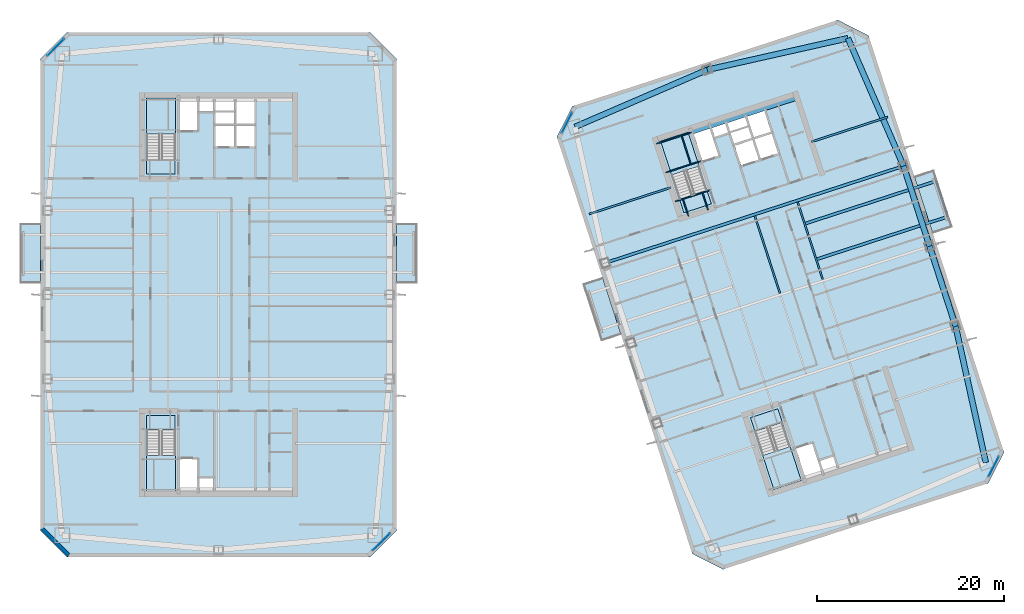
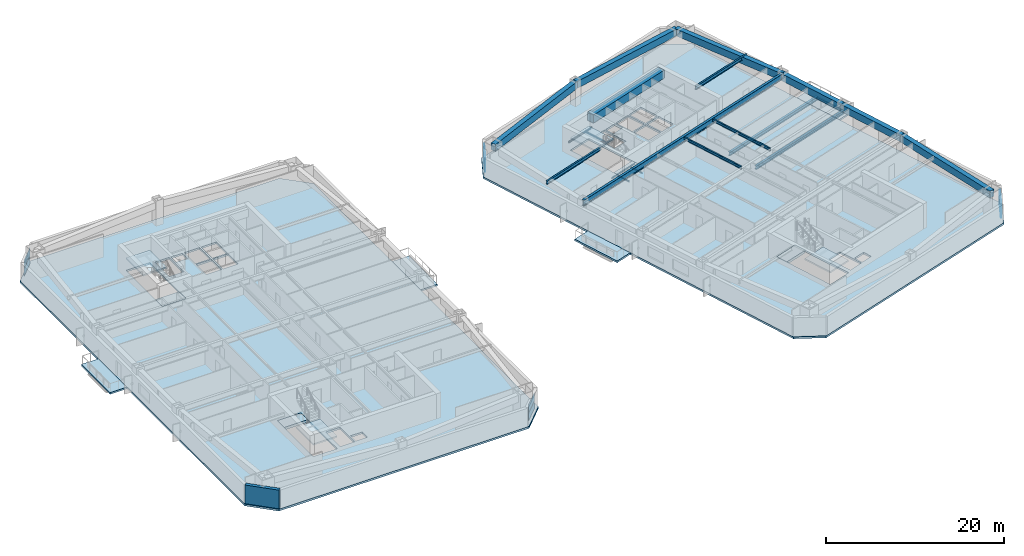
# One storey, part 10 of 23: 21 beams, 14 slabs, 8 plates, 1 wall, 8 elements without a shape of their own.
"""IFC4 building model written with IfcOpenShell, lengths in metres."""

import ifcopenshell
import ifcopenshell.guid

model = None  # the IFC model being written
_history = None  # IfcOwnerHistory: only IFC2X3 demands one
_inside = {}  # id of a spatial element -> (the spatial element, [elements in it])
_under = {}  # id of a project, library or spatial element -> (it, [spatial elements below it])
_declared = {}  # id of a project -> (the project, [libraries it declares])
_typed = {}  # id of a type object -> (the type object, [elements of that type])
_made_of = {}  # id of a material, layer set ... -> (it, [elements and type objects made of it])


def new_model(schema):
    """Start an empty IFC model of exactly this schema.

    Asked for "IFC4X3", IfcOpenShell would pick the latest addendum, in which some entities
    have other attributes; the version numbers below select the first issue.
    IFC2X3 requires an IfcOwnerHistory on every rooted entity: one is made here for all.
    """
    global model, _history
    if schema == "IFC4X3":
        model = ifcopenshell.file(schema_version=(4, 3, 0, 0))
    else:
        model = ifcopenshell.file(schema=schema)
    _inside.clear()
    _under.clear()
    _declared.clear()
    _typed.clear()
    _made_of.clear()
    _history = None
    if model.schema == "IFC2X3":
        org = make("IfcOrganization", Name="unknown")
        user = make(
            "IfcPersonAndOrganization",
            ThePerson=make("IfcPerson", FamilyName="unknown"),
            TheOrganization=org,
        )
        app = make(
            "IfcApplication",
            ApplicationDeveloper=org,
            Version="unknown",
            ApplicationFullName="unknown",
            ApplicationIdentifier="unknown",
        )
        _history = make(
            "IfcOwnerHistory",
            OwningUser=user,
            OwningApplication=app,
            ChangeAction="ADDED",
            CreationDate=0,
        )
    return model


def make(cls, **values):
    """One entity of the class cls with the attributes given. An attribute that is None is left unset."""
    return model.create_entity(
        cls, **{name: value for name, value in values.items() if value is not None}
    )


def rooted(cls, **values):
    """An entity with a GlobalId (a new one), such as an element, a storey or a relation."""
    return make(cls, GlobalId=ifcopenshell.guid.new(), OwnerHistory=_history, **values)


def si_unit(unit_type, name, prefix=None):
    """IfcSIUnit, for example si_unit("LENGTHUNIT", "METRE", prefix="MILLI")."""
    return make("IfcSIUnit", UnitType=unit_type, Prefix=prefix, Name=name)


def assignment(units):
    """IfcUnitAssignment: the units of a project."""
    return None if units is None else make("IfcUnitAssignment", Units=units)


def point(xyz):
    """IfcCartesianPoint."""
    return None if xyz is None else make("IfcCartesianPoint", Coordinates=xyz)


def direction(xyz):
    """IfcDirection."""
    return None if xyz is None else make("IfcDirection", DirectionRatios=xyz)


def frame(location, z_axis=None, x_axis=None):
    """IfcAxis2Placement3D, a coordinate frame: its origin and axes. An axis left out is left unset."""
    return make(
        "IfcAxis2Placement3D",
        Location=point(location),
        Axis=direction(z_axis),
        RefDirection=direction(x_axis),
    )


def frame_2d(location, x_axis=None):
    """IfcAxis2Placement2D, a coordinate frame in the plane: its origin and x axis."""
    return make(
        "IfcAxis2Placement2D", Location=point(location), RefDirection=direction(x_axis)
    )


def origin():
    """The frame at (0, 0, 0) with its axes left unset."""
    return frame((0.0, 0.0, 0.0))


def origin_2d():
    """The frame at (0, 0) in the plane with its x axis left unset."""
    return frame_2d((0.0, 0.0))


def place(relative_to, where):
    """IfcLocalPlacement: puts the frame where relative to a parent placement (None: the world)."""
    return make(
        "IfcLocalPlacement", PlacementRelTo=relative_to, RelativePlacement=where
    )


def context(
    kind, dimensions, precision=None, world=None, true_north=None, identifier=None
):
    """IfcGeometricRepresentationContext, for example the 3D "Model" context."""
    return make(
        "IfcGeometricRepresentationContext",
        ContextIdentifier=identifier,
        ContextType=kind,
        CoordinateSpaceDimension=dimensions,
        Precision=precision,
        WorldCoordinateSystem=world,
        TrueNorth=true_north,
    )


def subcontext(parent, identifier, kind, view, scale=None):
    """IfcGeometricRepresentationSubContext, for example "Body" below "Model"."""
    return make(
        "IfcGeometricRepresentationSubContext",
        ContextIdentifier=identifier,
        ContextType=kind,
        ParentContext=parent,
        TargetScale=scale,
        TargetView=view,
    )


def project(units=None, contexts=None):
    """IfcProject with its units and contexts."""
    return rooted(
        "IfcProject",
        Name="project",
        RepresentationContexts=contexts,
        UnitsInContext=assignment(units),
    )


def spatial(cls, under=None, at=None, **own):
    """A site, building, storey or space (cls), placed at a placement, below another one or the project."""
    s = rooted(cls, ObjectPlacement=at, **own)
    if under is not None:
        _under.setdefault(under.id(), (under, []))[1].append(s)
    return s


def polyline(points):
    """IfcPolyline through the points."""
    return make("IfcPolyline", Points=[point(p) for p in points])


def profile(cls, at=None, kind="AREA", **sizes):
    """A parametric profile (cls). Its sizes go by their IFC names, for example OverallWidth=200.0."""
    return make(cls, ProfileType=kind, Position=at, **sizes)


def rectangle(**sizes):
    """IfcRectangleProfileDef."""
    return profile("IfcRectangleProfileDef", **sizes)


def i_section(**sizes):
    """IfcIShapeProfileDef."""
    return profile("IfcIShapeProfileDef", **sizes)


def outline(outer, holes=None, kind="AREA"):
    """IfcArbitraryClosedProfileDef: a profile drawn as a closed curve; with holes, ...WithVoids."""
    if holes is None:
        return make("IfcArbitraryClosedProfileDef", ProfileType=kind, OuterCurve=outer)
    return make(
        "IfcArbitraryProfileDefWithVoids",
        ProfileType=kind,
        OuterCurve=outer,
        InnerCurves=holes,
    )


def extrude(swept, where, along, depth):
    """IfcExtrudedAreaSolid: the profile swept, set in the frame where, extruded along a direction by depth."""
    return make(
        "IfcExtrudedAreaSolid",
        SweptArea=swept,
        Position=where,
        ExtrudedDirection=direction(along),
        Depth=depth,
    )


def shape(context_of_items, identifier, shape_type, items):
    """IfcShapeRepresentation: the items that make up one representation, for example the "Body"."""
    return make(
        "IfcShapeRepresentation",
        ContextOfItems=context_of_items,
        RepresentationIdentifier=identifier,
        RepresentationType=shape_type,
        Items=items,
    )


def material(Name=None, Category=None):
    """IfcMaterial."""
    return make("IfcMaterial", Name=Name, Category=Category)


def layer(
    of_material, thickness, ventilated=None, Name=None, Category=None, Priority=None
):
    """IfcMaterialLayer: one layer of a wall or slab, of a material (None: an air gap)."""
    return make(
        "IfcMaterialLayer",
        Material=of_material,
        LayerThickness=thickness,
        IsVentilated=ventilated,
        Name=Name,
        Category=Category,
        Priority=Priority,
    )


def layer_set(layers, Name=None):
    """IfcMaterialLayerSet."""
    return make("IfcMaterialLayerSet", MaterialLayers=layers, LayerSetName=Name)


def material_profile(
    of_material, cross_section, Name=None, Category=None, Priority=None
):
    """IfcMaterialProfile: a cross section and its material."""
    return make(
        "IfcMaterialProfile",
        Name=Name,
        Material=of_material,
        Profile=cross_section,
        Priority=Priority,
        Category=Category,
    )


def profile_set(profiles, Name=None, composite=None):
    """IfcMaterialProfileSet."""
    return make(
        "IfcMaterialProfileSet",
        Name=Name,
        MaterialProfiles=profiles,
        CompositeProfile=composite,
    )


def made_of(thing, what):
    """Note that an element or type object is made of a material, layer set ...; save() writes the relation."""
    if what is not None:
        _made_of.setdefault(what.id(), (what, []))[1].append(thing)
    return thing


def type_object(cls, material=None, **own):
    """A type object (cls), such as IfcWallType, which elements share."""
    return made_of(rooted(cls, **own), material)


def element(
    cls,
    number,
    at=None,
    inside=None,
    cuts=None,
    type_object=None,
    material=None,
    context=None,
    identifier="Body",
    shape_type=None,
    held_by="IfcProductDefinitionShape",
    body=None,
    shapes=None,
    **own,
):
    """One element of the class cls, such as IfcWall. Its Tag is "e" and its number.

    at: its placement. inside: the storey or other place that contains it. cuts: it is an
    opening in that element (IfcRelVoidsElement). A single representation is given by context,
    identifier, shape_type and body (its items); several are given by shapes. held_by: the class
    of the entity that holds the representations. save() writes the other relations.
    """
    e = rooted(cls, Tag="e%d" % number, ObjectPlacement=at, **own)
    if body is not None:
        shapes = [shape(context, identifier, shape_type, body)]
    if shapes is not None:
        e.Representation = make(held_by, Representations=shapes)
    if inside is not None:
        _inside.setdefault(inside.id(), (inside, []))[1].append(e)
    if cuts is not None:
        rooted(
            "IfcRelVoidsElement", RelatingBuildingElement=cuts, RelatedOpeningElement=e
        )
    if type_object is not None:
        _typed.setdefault(type_object.id(), (type_object, []))[1].append(e)
    return made_of(e, material)


def aggregate(whole, parts):
    """IfcRelAggregates: a whole, such as a stair, and the parts it consists of."""
    return rooted("IfcRelAggregates", RelatingObject=whole, RelatedObjects=parts)


def save(model, path):
    """Write the relations noted so far, then the file.

    IfcRelAggregates (storeys below a building ...), IfcRelContainedInSpatialStructure (elements
    in a storey), IfcRelDefinesByType, IfcRelAssociatesMaterial and IfcRelDeclares: one each for
    every whole, place, type object, material and project.
    """
    for whole, parts in _under.values():
        aggregate(whole, parts)
    for where, things in _inside.values():
        rooted(
            "IfcRelContainedInSpatialStructure",
            RelatedElements=things,
            RelatingStructure=where,
        )
    for kind, things in _typed.values():
        rooted("IfcRelDefinesByType", RelatedObjects=things, RelatingType=kind)
    for what, things in _made_of.values():
        rooted("IfcRelAssociatesMaterial", RelatedObjects=things, RelatingMaterial=what)
    for by, libraries in _declared.values():
        rooted("IfcRelDeclares", RelatingContext=by, RelatedDefinitions=libraries)
    model.write(path)


model = new_model("IFC4")

# Units and contexts
model_context = context("Model", 3, precision=1e-05, world=origin(), true_north=direction((0.0, 1.0)))
body_context = subcontext(model_context, "Body", "Model", "MODEL_VIEW")
ifc_project = project(units=[si_unit("LENGTHUNIT", "METRE"), si_unit("AREAUNIT", "SQUARE_METRE"), si_unit("VOLUMEUNIT", "CUBIC_METRE"), si_unit("PLANEANGLEUNIT", "RADIAN"), si_unit("MASSUNIT", "GRAM", prefix="KILO")], contexts=[model_context])

# Site, building, storey
site_placement = place(None, origin())
site = spatial("IfcSite", under=ifc_project, at=site_placement, CompositionType="ELEMENT")
building_placement = place(site_placement, origin())
building = spatial("IfcBuilding", under=site, at=building_placement, Name="Qiaolan Cultural Towers", CompositionType="ELEMENT")
storey_placement = place(building_placement, frame((0.0, 0.0, 100.050048828125)))
storey = spatial("IfcBuildingStorey", under=building, at=storey_placement, Name="L25", CompositionType="ELEMENT", Elevation=100.050048828125)

# Beams
ifc_material_1 = material(Name="Steel Q355B", Category="steel")
ifc_material_profile_1 = material_profile(ifc_material_1, i_section(OverallWidth=0.300048828125, OverallDepth=0.488037109375, WebThickness=0.010986328125, FlangeThickness=0.01806640625, at=origin_2d()), Name="HM488x300x11x18")
ifc_profile_set_1 = profile_set([ifc_material_profile_1], Name="Steel Q355B")
beam_type_1 = type_object("IfcBeamType", Name="BM-HM488x300x11x18", PredefinedType="BEAM", material=ifc_profile_set_1)
for number, where, z_axis, x_axis, name in (
    (1, (93.823486328125, 37.765869140625, -0.524169921875), (0.951059244395, 0.30900859802, 0.0), (-0.30900859802, 0.951059244395, 0.0), "L25 T2 Tree Balcony Back-Spanned Bracket Beam"),
    (2, (92.58740234375, 41.570068359375, -0.524169921875), (0.951059244395, 0.30900859802, 0.0), (-0.30900859802, 0.951059244395, 0.0), "L25 T2 Tree Balcony Back-Spanned Bracket Beam"),
):
    element("IfcBeam", number, at=place(storey_placement, frame(where, z_axis=z_axis, x_axis=x_axis)), inside=storey, type_object=beam_type_1, Name=name, PredefinedType="BEAM", context=body_context, shape_type="SweptSolid", body=[
        extrude(i_section(OverallWidth=0.300048828125, OverallDepth=0.488037109375, WebThickness=0.010986328125, FlangeThickness=0.01806640625, at=origin_2d()), origin(), (0.0, 0.0, 1.0), 14.75),
    ])
ifc_material_2 = material(Name="Steel Q355B", Category="steel")
ifc_material_profile_2 = material_profile(ifc_material_2, i_section(OverallWidth=0.300048828125, OverallDepth=0.800048828125, WebThickness=0.013916015625, FlangeThickness=0.02587890625, at=origin_2d()), Name="HN800x300x14x26")
ifc_profile_set_2 = profile_set([ifc_material_profile_2], Name="Steel Q355B")
beam_type_2 = type_object("IfcBeamType", Name="BM-HN800x300x14x26", PredefinedType="BEAM", material=ifc_profile_set_2)
beam_1_placement = place(storey_placement, frame((71.28857421875, 37.383544921875, 2.7900390625), z_axis=(0.951056559899, 0.309016860175, 0.0), x_axis=(-0.309016860175, 0.951056559899, 0.0)))
element("IfcBeam", 3, at=beam_1_placement, inside=storey, type_object=beam_type_2, Name="L25 T2 Primary Transverse Girder V3", PredefinedType="BEAM", context=body_context, shape_type="SweptSolid", body=[
    extrude(i_section(OverallWidth=0.300048828125, OverallDepth=0.800048828125, WebThickness=0.013916015625, FlangeThickness=0.02587890625, at=origin_2d()), origin(), (0.0, 0.0, 1.0), 33.5),
])
ifc_material_3 = material(Name="Steel Q355B", Category="steel")
ifc_material_profile_3 = material_profile(ifc_material_3, i_section(OverallWidth=0.175048828125, OverallDepth=0.35009765625, WebThickness=0.007080078125, FlangeThickness=0.010986328125, at=origin_2d()), Name="HN350x175x7x11")
ifc_profile_set_3 = profile_set([ifc_material_profile_3], Name="Steel Q355B")
beam_type_3 = type_object("IfcBeamType", Name="BM-JST-HN350x175x7x11", PredefinedType="JOIST", material=ifc_profile_set_3)
beam_2_placement = place(storey_placement, frame((107.8515625, 42.32373046875, -0.524169921875), z_axis=(-0.309022586479, 0.951054699292, 0.0), x_axis=(-0.951054699292, -0.309022586479, 0.0)))
element("IfcBeam", 4, at=beam_2_placement, inside=storey, type_object=beam_type_3, Name="L25 T2 Tree Balcony Outer Edge Beam", PredefinedType="JOIST", context=body_context, shape_type="SweptSolid", body=[
    extrude(i_section(OverallWidth=0.175048828125, OverallDepth=0.35009765625, WebThickness=0.007080078125, FlangeThickness=0.010986328125, at=origin_2d()), origin(), (0.0, 0.0, 1.0), 4.0),
])
for number, where, z_axis, x_axis, name in (
    (5, (89.95361328125, 34.142578125, 3.014892578125), (-0.309020714809, 0.951055307445, 0.0), (-0.951055307445, -0.309020714809, 0.0), "L25 T2 Secondary Floor Joist U2-3"),
    (6, (94.518798828125, 35.6259765625, 3.014892578125), (-0.309020714809, 0.951055307445, 0.0), (-0.951055307445, -0.309020714809, 0.0), "L25 T2 Secondary Floor Joist U3-3"),
):
    element("IfcBeam", number, at=place(storey_placement, frame(where, z_axis=z_axis, x_axis=x_axis)), inside=storey, type_object=beam_type_3, Name=name, PredefinedType="JOIST", context=body_context, shape_type="SweptSolid", body=[
        extrude(i_section(OverallWidth=0.175048828125, OverallDepth=0.35009765625, WebThickness=0.007080078125, FlangeThickness=0.010986328125, at=origin_2d()), origin(), (0.0, 0.0, 1.0), 8.699951171875),
    ])
ifc_material_4 = material(Name="Steel Q355B", Category="steel")
ifc_material_profile_4 = material_profile(ifc_material_4, i_section(OverallWidth=0.199951171875, OverallDepth=0.449951171875, WebThickness=0.009033203125, FlangeThickness=0.013916015625, at=origin_2d()), Name="HN450x200x9x14")
ifc_profile_set_4 = profile_set([ifc_material_profile_4], Name="Steel Q355B")
beam_type_4 = type_object("IfcBeamType", Name="BM-LNT-HN450x200x9x14", PredefinedType="LINTEL", material=ifc_profile_set_4)
beam_3_placement = place(storey_placement, frame((78.291259765625, 45.44189453125, 2.96484375), z_axis=(-0.951052106475, -0.309030566076, 0.0), x_axis=(0.309030566076, -0.951052106475, 0.0)))
element("IfcBeam", 7, at=beam_3_placement, inside=storey, type_object=beam_type_4, Name="L25 T2 Core Flank Tie Lintel WN", PredefinedType="LINTEL", context=body_context, shape_type="SweptSolid", body=[
    extrude(i_section(OverallWidth=0.199951171875, OverallDepth=0.449951171875, WebThickness=0.009033203125, FlangeThickness=0.013916015625, at=origin_2d()), origin(), (0.0, 0.0, 1.0), 9.14990234375),
])
beam_4_placement = place(storey_placement, frame((93.31787109375, 50.32421875, 2.96484375), z_axis=(0.951057358187, 0.309014403287, 0.0), x_axis=(-0.309014403287, 0.951057358187, 0.0)))
element("IfcBeam", 8, at=beam_4_placement, inside=storey, type_object=beam_type_4, Name="L25 T2 Core Flank Tie Lintel EN", PredefinedType="LINTEL", context=body_context, shape_type="SweptSolid", body=[
    extrude(i_section(OverallWidth=0.199951171875, OverallDepth=0.449951171875, WebThickness=0.009033203125, FlangeThickness=0.013916015625, at=origin_2d()), origin(), (0.0, 0.0, 1.0), 8.550048828125),
])
ifc_material_5 = material(Name="Concrete C50", Category="concrete")
ifc_material_profile_5 = material_profile(ifc_material_5, rectangle(XDim=0.89990234375, YDim=1.10009765625, at=origin_2d()), Name="RC900x1100")
ifc_profile_set_5 = profile_set([ifc_material_profile_5], Name="Concrete C50")
beam_type_5 = type_object("IfcBeamType", Name="BM-RC900x1100", PredefinedType="BEAM", material=ifc_profile_set_5)
beam_5_placement = place(storey_placement, frame((80.427978515625, 51.551025390625, 2.639892578125), z_axis=(0.951056266386, 0.309017763514, 0.0), x_axis=(-0.309017763514, 0.951056266386, 0.0)))
element("IfcBeam", 9, at=beam_5_placement, inside=storey, type_object=beam_type_5, Name="L25 T2 Core Header Girder N", PredefinedType="BEAM", context=body_context, shape_type="SweptSolid", body=[
    extrude(rectangle(XDim=0.89990234375, YDim=1.10009765625, at=origin_2d()), origin(), (0.0, 0.0, 1.0), 11.880126953125),
])
ifc_material_6 = material(Name="Concrete C50", Category="concrete")
ifc_material_profile_6 = material_profile(ifc_material_6, rectangle(XDim=0.60009765625, YDim=0.949951171875, at=origin_2d()), Name="RC600x950")
ifc_profile_set_6 = profile_set([ifc_material_profile_6], Name="Concrete C50")
beam_type_6 = type_object("IfcBeamType", Name="BM-SPD-RC600x950", PredefinedType="SPANDREL", material=ifc_profile_set_6)
beam_6_placement = place(storey_placement, frame((111.930908203125, 16.080078125, 2.71484375), z_axis=(-0.216237644833, 0.976340760676, 0.0), x_axis=(-0.976340760676, -0.216237644833, 0.0)))
element("IfcBeam", 10, at=beam_6_placement, inside=storey, type_object=beam_type_6, Name="L25 T2 Perimeter Spandrel Beam 3", PredefinedType="SPANDREL", context=body_context, shape_type="SweptSolid", body=[
    extrude(rectangle(XDim=0.60009765625, YDim=0.949951171875, at=origin_2d()), origin(), (0.0, 0.0, 1.0), 14.888671875),
])
for number, where, z_axis, x_axis, name in (
    (11, (108.71142578125, 30.616455078125, 2.71484375), (-0.309024734286, 0.951054001411, 0.0), (-0.951054001411, -0.309024734286, 0.0), "L25 T2 Perimeter Spandrel Beam 4"),
    (12, (105.93017578125, 39.176025390625, 2.71484375), (-0.309024734286, 0.951054001411, 0.0), (-0.951054001411, -0.309024734286, 0.0), "L25 T2 Perimeter Spandrel Beam 5"),
):
    element("IfcBeam", number, at=place(storey_placement, frame(where, z_axis=z_axis, x_axis=x_axis)), inside=storey, type_object=beam_type_6, Name=name, PredefinedType="SPANDREL", context=body_context, shape_type="SweptSolid", body=[
        extrude(rectangle(XDim=0.60009765625, YDim=0.949951171875, at=origin_2d()), origin(), (0.0, 0.0, 1.0), 9.0),
    ])
beam_7_placement = place(storey_placement, frame((103.14892578125, 47.735595703125, 2.71484375), z_axis=(-0.398920370799, 0.916985571185, 0.0), x_axis=(-0.916985571185, -0.398920370799, 0.0)))
element("IfcBeam", 13, at=beam_7_placement, inside=storey, type_object=beam_type_6, Name="L25 T2 Perimeter Spandrel Beam 6", PredefinedType="SPANDREL", context=body_context, shape_type="SweptSolid", body=[
    extrude(rectangle(XDim=0.60009765625, YDim=0.949951171875, at=origin_2d()), origin(), (0.0, 0.0, 1.0), 14.888916015625),
])
beam_8_placement = place(storey_placement, frame((97.20947265625, 61.388427734375, 2.71484375), z_axis=(-0.975658154374, -0.219296980836, 0.0), x_axis=(0.219296980836, -0.975658154374, 0.0)))
element("IfcBeam", 14, at=beam_8_placement, inside=storey, type_object=beam_type_6, Name="L25 T2 Perimeter Spandrel Beam 7", PredefinedType="SPANDREL", context=body_context, shape_type="SweptSolid", body=[
    extrude(rectangle(XDim=0.60009765625, YDim=0.949951171875, at=origin_2d()), origin(), (0.0, 0.0, 1.0), 15.38671875),
])
beam_9_placement = place(storey_placement, frame((82.197265625, 58.01416015625, 2.71484375), z_axis=(-0.918217549337, -0.396076422032, 0.0), x_axis=(0.396076422032, -0.918217549337, 0.0)))
element("IfcBeam", 15, at=beam_9_placement, inside=storey, type_object=beam_type_6, Name="L25 T2 Perimeter Spandrel Beam 8", PredefinedType="SPANDREL", context=body_context, shape_type="SweptSolid", body=[
    extrude(rectangle(XDim=0.60009765625, YDim=0.949951171875, at=origin_2d()), origin(), (0.0, 0.0, 1.0), 15.386474609375),
])
ifc_material_7 = material(Name="Steel Q355B", Category="steel")
ifc_material_profile_7 = material_profile(ifc_material_7, i_section(OverallWidth=0.10009765625, OverallDepth=0.199951171875, WebThickness=0.005615234375, FlangeThickness=0.008056640625, at=origin_2d()), Name="HN200x100x5.5x8")
ifc_profile_set_7 = profile_set([ifc_material_profile_7], Name="Steel Q355B")
beam_type_7 = type_object("IfcBeamType", Name="BM-STTRIM-200", PredefinedType="BEAM", material=ifc_profile_set_7)
beam_10_placement = place(storey_placement, frame((78.773193359375, 43.958251953125, -0.4599609375), z_axis=(0.951072048947, 0.3089691857, 0.0), x_axis=(-0.3089691857, 0.951072048947, 0.0)))
element("IfcBeam", 16, at=beam_10_placement, inside=storey, type_object=beam_type_7, Name="L25 ST-E2 Floor Landing Header Beam", PredefinedType="BEAM", context=body_context, shape_type="SweptSolid", body=[
    extrude(i_section(OverallWidth=0.10009765625, OverallDepth=0.199951171875, WebThickness=0.005615234375, FlangeThickness=0.008056640625, at=origin_2d()), origin(), (0.0, 0.0, 1.0), 3.920166015625),
])
for number, where, z_axis, x_axis, name in (
    (17, (80.18115234375, 42.375732421875, -0.4599609375), (-0.308969394428, 0.951071981138, 0.0), (-0.951071981138, -0.308969394428, 0.0), "L25 ST-E2 Floor Landing Stringer 1"),
    (18, (82.2734375, 43.0556640625, -0.4599609375), (-0.308969394428, 0.951071981138, 0.0), (-0.951071981138, -0.308969394428, 0.0), "L25 ST-E2 Floor Landing Stringer 2"),
):
    element("IfcBeam", number, at=place(storey_placement, frame(where, z_axis=z_axis, x_axis=x_axis)), inside=storey, type_object=beam_type_7, Name=name, PredefinedType="BEAM", context=body_context, shape_type="SweptSolid", body=[
        extrude(i_section(OverallWidth=0.10009765625, OverallDepth=0.199951171875, WebThickness=0.005615234375, FlangeThickness=0.008056640625, at=origin_2d()), origin(), (0.0, 0.0, 1.0), 1.93994140625),
    ])
for number, where, z_axis, x_axis, name in (
    (19, (77.769287109375, 47.0478515625, 1.425048828125), (0.951053746643, 0.309025518358, 0.0), (-0.309025518358, 0.951053746643, 0.0), "L25 ST-E2 Stair Landing Support Beam 1-1"),
    (20, (76.770751953125, 50.12109375, 1.425048828125), (0.951072048947, 0.3089691857, 0.0), (-0.3089691857, 0.951072048947, 0.0), "L25 ST-E2 Stair Landing Support Beam 1-2"),
):
    element("IfcBeam", number, at=place(storey_placement, frame(where, z_axis=z_axis, x_axis=x_axis)), inside=storey, type_object=beam_type_7, Name=name, PredefinedType="BEAM", context=body_context, shape_type="SweptSolid", body=[
        extrude(i_section(OverallWidth=0.10009765625, OverallDepth=0.199951171875, WebThickness=0.005615234375, FlangeThickness=0.008056640625, at=origin_2d()), origin(), (0.0, 0.0, 1.0), 3.920166015625),
    ])
beam_11_placement = place(storey_placement, frame((80.44189453125, 47.916259765625, 1.425048828125), z_axis=(-0.309033108495, 0.951051280349, 0.0), x_axis=(-0.951051280349, -0.309033108495, 0.0)))
element("IfcBeam", 21, at=beam_11_placement, inside=storey, type_object=beam_type_7, Name="L25 ST-E2 Stair Landing Trimmer 1", PredefinedType="BEAM", context=body_context, shape_type="SweptSolid", body=[
    extrude(i_section(OverallWidth=0.10009765625, OverallDepth=0.199951171875, WebThickness=0.005615234375, FlangeThickness=0.008056640625, at=origin_2d()), origin(), (0.0, 0.0, 1.0), 3.231201171875),
])

# Curtain wall, plates
ifc_material_8 = material(Name="Unitized Anodized Aluminium Curtain Wall System", Category="aluminium")
ifc_layer_1 = layer(ifc_material_8, 0.199951171875)
ifc_layer_set_1 = layer_set([ifc_layer_1], Name="Unitized Anodized Aluminium Curtain Wall System")
curtain_wall_type = type_object("IfcCurtainWallType", Name="CWS-03", PredefinedType="NOTDEFINED", material=ifc_layer_set_1)
curtain_wall_1_placement = place(storey_placement, origin())
curtain_wall_1 = element("IfcCurtainWall", 22, at=curtain_wall_1_placement, inside=storey, type_object=curtain_wall_type, Name="L25 T1 Chamfer Wind-Corner Feature Curtain Wall 1", PredefinedType="NOTDEFINED")
ifc_material_9 = material(Name="Laminated Low-E Insulating Glass Unit", Category="glass")
ifc_layer_2 = layer(ifc_material_9, 0.035888671875)
ifc_layer_set_2 = layer_set([ifc_layer_2], Name="Laminated Low-E Insulating Glass Unit")
plate_type = type_object("IfcPlateType", Name="CWS-03-PNL", PredefinedType="CURTAIN_PANEL", material=ifc_layer_set_2)
plate_1_placement = place(storey_placement, frame((12.60009765625, 60.39990234375, 0.215087890625), z_axis=(0.0, 0.0, 1.0), x_axis=(0.707106781187, 0.707106781187, 0.0)))
plate_1 = element("IfcPlate", 23, at=plate_1_placement, type_object=plate_type, Name="CW-3 panel 1.1", PredefinedType="CURTAIN_PANEL", context=body_context, shape_type="SweptSolid", body=[
    extrude(rectangle(XDim=2.542724609375, YDim=0.035888671875, at=origin_2d()), origin(), (0.0, 0.0, 1.0), 1.00244140625),
])
plate_2_placement = place(storey_placement, frame((12.60009765625, 60.39990234375, 1.282470703125), z_axis=(0.0, 0.0, 1.0), x_axis=(0.707106781187, 0.707106781187, 0.0)))
plate_2 = element("IfcPlate", 24, at=plate_2_placement, type_object=plate_type, Name="CW-3 panel 1.2", PredefinedType="CURTAIN_PANEL", context=body_context, shape_type="SweptSolid", body=[
    extrude(rectangle(XDim=2.542724609375, YDim=0.035888671875, at=origin_2d()), origin(), (0.0, 0.0, 1.0), 1.1025390625),
])
aggregate(curtain_wall_1, [plate_1, plate_2])

curtain_wall_2_placement = place(storey_placement, origin())
curtain_wall_2 = element("IfcCurtainWall", 25, at=curtain_wall_2_placement, inside=storey, type_object=curtain_wall_type, Name="L25 T1 Chamfer Wind-Corner Feature Curtain Wall 2", PredefinedType="NOTDEFINED")
plate_3_placement = place(storey_placement, frame((47.39990234375, 7.60009765625, 0.215087890625), z_axis=(0.0, 0.0, 1.0), x_axis=(-0.707106781187, -0.707106781187, 0.0)))
plate_3 = element("IfcPlate", 26, at=plate_3_placement, type_object=plate_type, Name="CW-3 panel 1.1", PredefinedType="CURTAIN_PANEL", context=body_context, shape_type="SweptSolid", body=[
    extrude(rectangle(XDim=2.542724609375, YDim=0.035888671875, at=origin_2d()), origin(), (0.0, 0.0, 1.0), 1.00244140625),
])
plate_4_placement = place(storey_placement, frame((47.39990234375, 7.60009765625, 1.282470703125), z_axis=(0.0, 0.0, 1.0), x_axis=(-0.707106781187, -0.707106781187, 0.0)))
plate_4 = element("IfcPlate", 27, at=plate_4_placement, type_object=plate_type, Name="CW-3 panel 1.2", PredefinedType="CURTAIN_PANEL", context=body_context, shape_type="SweptSolid", body=[
    extrude(rectangle(XDim=2.542724609375, YDim=0.035888671875, at=origin_2d()), origin(), (0.0, 0.0, 1.0), 1.1025390625),
])
aggregate(curtain_wall_2, [plate_3, plate_4])

curtain_wall_3_placement = place(storey_placement, origin())
curtain_wall_3 = element("IfcCurtainWall", 28, at=curtain_wall_3_placement, inside=storey, type_object=curtain_wall_type, Name="L25 T2 Chamfer Wind-Corner Feature Curtain Wall 1", PredefinedType="NOTDEFINED")
plate_5_placement = place(storey_placement, frame((67.212158203125, 52.356689453125, 0.215087890625), z_axis=(0.0, 0.0, 1.0), x_axis=(0.453991013436, 0.891006262447, 0.0)))
plate_5 = element("IfcPlate", 29, at=plate_5_placement, type_object=plate_type, Name="CW-3 panel 1.1", PredefinedType="CURTAIN_PANEL", context=body_context, shape_type="SweptSolid", body=[
    extrude(rectangle(XDim=2.350341796875, YDim=0.035888671875, at=origin_2d()), origin(), (0.0, 0.0, 1.0), 1.00244140625),
])
plate_6_placement = place(storey_placement, frame((67.212158203125, 52.356689453125, 1.282470703125), z_axis=(0.0, 0.0, 1.0), x_axis=(0.453991013436, 0.891006262447, 0.0)))
plate_6 = element("IfcPlate", 30, at=plate_6_placement, type_object=plate_type, Name="CW-3 panel 1.2", PredefinedType="CURTAIN_PANEL", context=body_context, shape_type="SweptSolid", body=[
    extrude(rectangle(XDim=2.350341796875, YDim=0.035888671875, at=origin_2d()), origin(), (0.0, 0.0, 1.0), 1.1025390625),
])
aggregate(curtain_wall_3, [plate_5, plate_6])

curtain_wall_4_placement = place(storey_placement, origin())
curtain_wall_4 = element("IfcCurtainWall", 31, at=curtain_wall_4_placement, inside=storey, type_object=curtain_wall_type, Name="L25 T2 Chamfer Wind-Corner Feature Curtain Wall 2", PredefinedType="NOTDEFINED")
plate_7_placement = place(storey_placement, frame((112.787841796875, 15.643310546875, 0.215087890625), z_axis=(0.0, 0.0, 1.0), x_axis=(-0.453991013436, -0.891006262447, 0.0)))
plate_7 = element("IfcPlate", 32, at=plate_7_placement, type_object=plate_type, Name="CW-3 panel 1.1", PredefinedType="CURTAIN_PANEL", context=body_context, shape_type="SweptSolid", body=[
    extrude(rectangle(XDim=2.350341796875, YDim=0.035888671875, at=origin_2d()), origin(), (0.0, 0.0, 1.0), 1.00244140625),
])
plate_8_placement = place(storey_placement, frame((112.787841796875, 15.643310546875, 1.282470703125), z_axis=(0.0, 0.0, 1.0), x_axis=(-0.453991013436, -0.891006262447, 0.0)))
plate_8 = element("IfcPlate", 33, at=plate_8_placement, type_object=plate_type, Name="CW-3 panel 1.2", PredefinedType="CURTAIN_PANEL", context=body_context, shape_type="SweptSolid", body=[
    extrude(rectangle(XDim=2.350341796875, YDim=0.035888671875, at=origin_2d()), origin(), (0.0, 0.0, 1.0), 1.1025390625),
])
aggregate(curtain_wall_4, [plate_7, plate_8])

# Slabs
ifc_material_10 = material(Name="Concrete C50", Category="concrete")
ifc_layer_3 = layer(ifc_material_10, 0.260009765625)
ifc_layer_set_3 = layer_set([ifc_layer_3], Name="Concrete C50")
slab_type_1 = type_object("IfcSlabType", Name="SL-ARC-260", PredefinedType="FLOOR", material=ifc_layer_set_3)
slab_1_placement = place(storey_placement, frame((0.0, 0.0, -0.260009765625)))
element("IfcSlab", 34, at=slab_1_placement, inside=storey, type_object=slab_type_1, Name="L25 West Tower Floor Slab", PredefinedType="FLOOR", context=body_context, shape_type="SweptSolid", body=[
    extrude(outline(polyline([(13.800048828125, 6.0), (46.199951171875, 6.0), (49.0, 8.800048828125), (49.0, 59.199951171875), (46.199951171875, 62.0), (13.800048828125, 62.0), (11.0, 59.199951171875), (11.0, 8.800048828125), (13.800048828125, 6.0)]), holes=[polyline([(22.300048828125, 21.10009765625), (22.300048828125, 13.0), (25.3798828125, 13.0), (25.3798828125, 21.10009765625), (22.300048828125, 21.10009765625)]), polyline([(25.3798828125, 46.89990234375), (25.3798828125, 55.0), (22.300048828125, 55.0), (22.300048828125, 46.89990234375), (25.3798828125, 46.89990234375)]), polyline([(25.89990234375, 13.199951171875), (27.75, 13.199951171875), (27.75, 16.449951171875), (25.89990234375, 16.449951171875), (25.89990234375, 13.199951171875)]), polyline([(27.93994140625, 13.25), (29.449951171875, 13.25), (29.449951171875, 14.419921875), (27.93994140625, 14.419921875), (27.93994140625, 13.25)]), polyline([(25.89990234375, 51.550048828125), (27.75, 51.550048828125), (27.75, 54.800048828125), (25.89990234375, 54.800048828125), (25.89990234375, 51.550048828125)]), polyline([(27.93994140625, 53.580078125), (29.449951171875, 53.580078125), (29.449951171875, 54.75), (27.93994140625, 54.75), (27.93994140625, 53.580078125)]), polyline([(29.679931640625, 49.820068359375), (31.679931640625, 49.820068359375), (31.679931640625, 52.080078125), (29.679931640625, 52.080078125), (29.679931640625, 49.820068359375)]), polyline([(31.8798828125, 49.820068359375), (33.820068359375, 49.820068359375), (33.820068359375, 52.080078125), (31.8798828125, 52.080078125), (31.8798828125, 49.820068359375)]), polyline([(29.679931640625, 52.27001953125), (31.659912109375, 52.27001953125), (31.659912109375, 54.75), (29.679931640625, 54.75), (29.679931640625, 52.27001953125)]), polyline([(31.8798828125, 52.27001953125), (33.820068359375, 52.27001953125), (33.820068359375, 54.75), (31.8798828125, 54.75), (31.8798828125, 52.27001953125)])]), origin(), (0.0, 0.0, 1.0), 0.260009765625),
])
slab_2_placement = place(storey_placement, frame((0.0, 0.0, -0.260009765625)))
element("IfcSlab", 35, at=slab_2_placement, inside=storey, type_object=slab_type_1, Name="L25 East Tower Floor Slab", PredefinedType="FLOOR", context=body_context, shape_type="SweptSolid", body=[
    extrude(outline(polyline([(83.86376953125, 4.668212890625), (112.205078125, 13.876953125), (113.87451171875, 17.153076171875), (99.41259765625, 61.66259765625), (96.13623046875, 63.331787109375), (67.794921875, 54.123046875), (66.12548828125, 50.846923828125), (80.58740234375, 6.33740234375), (83.86376953125, 4.668212890625)]), holes=[polyline([(86.80126953125, 20.868896484375), (89.30419921875, 13.165283203125), (92.2333984375, 14.116943359375), (89.73046875, 21.820556640625), (86.80126953125, 20.868896484375)]), polyline([(82.623046875, 43.69482421875), (80.1201171875, 51.3984375), (77.190673828125, 50.44677734375), (79.69384765625, 42.7431640625), (82.623046875, 43.69482421875)]), polyline([(92.666259765625, 14.468017578125), (94.42578125, 15.03955078125), (93.42138671875, 18.130615234375), (91.661865234375, 17.558837890625), (92.666259765625, 14.468017578125)]), polyline([(94.5908203125, 15.14599609375), (96.027099609375, 15.612548828125), (95.66552734375, 16.725341796875), (94.2294921875, 16.258544921875), (94.5908203125, 15.14599609375)]), polyline([(81.6806640625, 48.278076171875), (83.440185546875, 48.849609375), (82.435791015625, 51.940673828125), (80.67626953125, 51.368896484375), (81.6806640625, 48.278076171875)]), polyline([(82.993408203125, 50.839111328125), (84.4296875, 51.3056640625), (84.068115234375, 52.41845703125), (82.632080078125, 51.95166015625), (82.993408203125, 50.839111328125)]), polyline([(85.810302734375, 47.80078125), (87.71240234375, 48.418701171875), (87.013916015625, 50.568115234375), (85.11181640625, 49.9501953125), (85.810302734375, 47.80078125)]), polyline([(87.902587890625, 48.480712890625), (89.74755859375, 49.080078125), (89.04931640625, 51.2294921875), (87.2041015625, 50.6298828125), (87.902587890625, 48.480712890625)]), polyline([(85.05322265625, 50.130859375), (86.936279296875, 50.74267578125), (86.169921875, 53.101318359375), (84.286865234375, 52.489501953125), (85.05322265625, 50.130859375)]), polyline([(87.1455078125, 50.810791015625), (88.990478515625, 51.41015625), (88.22412109375, 53.768798828125), (86.379150390625, 53.169189453125), (87.1455078125, 50.810791015625)])]), origin(), (0.0, 0.0, 1.0), 0.260009765625),
])
ifc_material_11 = material(Name="Concrete C45", Category="concrete")
ifc_layer_4 = layer(ifc_material_11, 0.239990234375)
ifc_layer_set_4 = layer_set([ifc_layer_4], Name="Concrete C45")
slab_type_2 = type_object("IfcSlabType", Name="SL-BAL-240", PredefinedType="FLOOR", material=ifc_layer_set_4)
slab_3_placement = place(storey_placement, frame((0.0, 0.0, -0.239990234375)))
element("IfcSlab", 36, at=slab_3_placement, inside=storey, type_object=slab_type_2, Name="L25 T1 Planted Tree Balcony W", PredefinedType="FLOOR", context=body_context, shape_type="SweptSolid", body=[
    extrude(outline(polyline([(8.800048828125, 35.199951171875), (11.0, 35.199951171875), (11.0, 41.60009765625), (8.800048828125, 41.60009765625), (8.800048828125, 35.199951171875)])), origin(), (0.0, 0.0, 1.0), 0.239990234375),
])
slab_4_placement = place(storey_placement, frame((0.0, 0.0, -0.239990234375)))
element("IfcSlab", 37, at=slab_4_placement, inside=storey, type_object=slab_type_2, Name="L25 T1 Planted Tree Balcony E", PredefinedType="FLOOR", context=body_context, shape_type="SweptSolid", body=[
    extrude(outline(polyline([(49.0, 35.199951171875), (51.199951171875, 35.199951171875), (51.199951171875, 41.60009765625), (49.0, 41.60009765625), (49.0, 35.199951171875)])), origin(), (0.0, 0.0, 1.0), 0.239990234375),
])
slab_5_placement = place(storey_placement, frame((0.0, 0.0, -0.239990234375)))
element("IfcSlab", 38, at=slab_5_placement, inside=storey, type_object=slab_type_2, Name="L25 T2 Planted Tree Balcony W", PredefinedType="FLOOR", context=body_context, shape_type="SweptSolid", body=[
    extrude(outline(polyline([(70.893310546875, 29.0537109375), (72.985595703125, 29.7333984375), (71.008056640625, 35.8203125), (68.915771484375, 35.140380859375), (70.893310546875, 29.0537109375)])), origin(), (0.0, 0.0, 1.0), 0.239990234375),
])
slab_6_placement = place(storey_placement, frame((0.0, 0.0, -0.239990234375)))
element("IfcSlab", 39, at=slab_6_placement, inside=storey, type_object=slab_type_2, Name="L25 T2 Planted Tree Balcony E", PredefinedType="FLOOR", context=body_context, shape_type="SweptSolid", body=[
    extrude(outline(polyline([(106.272705078125, 40.549072265625), (108.364990234375, 41.22900390625), (106.38720703125, 47.315673828125), (104.294921875, 46.6357421875), (106.272705078125, 40.549072265625)])), origin(), (0.0, 0.0, 1.0), 0.239990234375),
])

# Stair, slab
ifc_material_12 = material(Name="Concrete C45", Category="concrete")
stair_type = type_object("IfcStairType", Name="STR-CORE-1500", PredefinedType="HALF_TURN_STAIR", material=ifc_material_12)
stair_1_placement = place(storey_placement, origin())
stair_1 = element("IfcStair", 40, at=stair_1_placement, inside=storey, type_object=stair_type, Name="L25 Smokeproof Exit Stair ST-W1", PredefinedType="HALF_TURN_STAIR")
ifc_material_13 = material(Name="Concrete C45", Category="concrete")
ifc_layer_5 = layer(ifc_material_13, 0.199951171875)
ifc_layer_set_5 = layer_set([ifc_layer_5], Name="Concrete C45")
slab_type_3 = type_object("IfcSlabType", Name="SL-STAIR-LAND", PredefinedType="LANDING", material=ifc_layer_set_5)
slab_7_placement = place(storey_placement, frame((0.0, 0.0, 1.52490234375)))
slab_7 = element("IfcSlab", 41, at=slab_7_placement, type_object=slab_type_3, Name="ST-W1 landing 1", PredefinedType="LANDING", context=body_context, shape_type="SweptSolid", body=[
    extrude(outline(polyline([(22.300048828125, 16.851318359375), (22.300048828125, 13.0), (25.3798828125, 13.0), (25.3798828125, 16.851318359375), (22.300048828125, 16.851318359375)])), origin(), (0.0, 0.0, 1.0), 0.199951171875),
])
aggregate(stair_1, [slab_7])

stair_2_placement = place(storey_placement, origin())
stair_2 = element("IfcStair", 42, at=stair_2_placement, inside=storey, type_object=stair_type, Name="L25 Smokeproof Exit Stair ST-W2", PredefinedType="HALF_TURN_STAIR")
slab_8_placement = place(storey_placement, frame((0.0, 0.0, 1.52490234375)))
slab_8 = element("IfcSlab", 43, at=slab_8_placement, type_object=slab_type_3, Name="ST-W2 landing 1", PredefinedType="LANDING", context=body_context, shape_type="SweptSolid", body=[
    extrude(outline(polyline([(25.3798828125, 51.148681640625), (25.3798828125, 55.0), (22.300048828125, 55.0), (22.300048828125, 51.148681640625), (25.3798828125, 51.148681640625)])), origin(), (0.0, 0.0, 1.0), 0.199951171875),
])
aggregate(stair_2, [slab_8])

stair_3_placement = place(storey_placement, origin())
stair_3 = element("IfcStair", 44, at=stair_3_placement, inside=storey, type_object=stair_type, Name="L25 Smokeproof Exit Stair ST-E1", PredefinedType="HALF_TURN_STAIR")
slab_9_placement = place(storey_placement, frame((0.0, 0.0, 1.52490234375)))
slab_9 = element("IfcSlab", 45, at=slab_9_placement, type_object=slab_type_3, Name="ST-E1 landing 1", PredefinedType="LANDING", context=body_context, shape_type="SweptSolid", body=[
    extrude(outline(polyline([(88.114013671875, 16.828125), (89.30419921875, 13.165283203125), (92.2333984375, 14.116943359375), (91.04345703125, 17.77978515625), (88.114013671875, 16.828125)])), origin(), (0.0, 0.0, 1.0), 0.199951171875),
])
aggregate(stair_3, [slab_9])

stair_4_placement = place(storey_placement, origin())
stair_4 = element("IfcStair", 46, at=stair_4_placement, inside=storey, type_object=stair_type, Name="L25 Smokeproof Exit Stair ST-E2", PredefinedType="HALF_TURN_STAIR")
slab_10_placement = place(storey_placement, frame((0.0, 0.0, 1.52490234375)))
slab_10 = element("IfcSlab", 47, at=slab_10_placement, type_object=slab_type_3, Name="ST-E2 landing 1", PredefinedType="LANDING", context=body_context, shape_type="SweptSolid", body=[
    extrude(outline(polyline([(81.31005859375, 47.735595703125), (80.1201171875, 51.3984375), (77.190673828125, 50.44677734375), (78.380859375, 46.783935546875), (81.31005859375, 47.735595703125)])), origin(), (0.0, 0.0, 1.0), 0.199951171875),
])
aggregate(stair_4, [slab_10])

# Slabs
ifc_material_14 = material(Name="Concrete C40", Category="concrete")
ifc_layer_6 = layer(ifc_material_14, 0.360107421875)
ifc_layer_set_6 = layer_set([ifc_layer_6], Name="Concrete C40")
slab_type_4 = type_object("IfcSlabType", Name="SL-STFLR-360", PredefinedType="LANDING", material=ifc_layer_set_6)
slab_11_placement = place(storey_placement, frame((0.0, 0.0, -0.360107421875)))
element("IfcSlab", 48, at=slab_11_placement, inside=storey, type_object=slab_type_4, Name="L25 ST-W1 Stair Floor Landing Slab", PredefinedType="LANDING", context=body_context, shape_type="SweptSolid", body=[
    extrude(outline(polyline([(22.302001953125, 21.097900390625), (22.302001953125, 19.548583984375), (25.3779296875, 19.548583984375), (25.3779296875, 21.097900390625), (22.302001953125, 21.097900390625)])), origin(), (0.0, 0.0, 1.0), 0.360107421875),
])
slab_12_placement = place(storey_placement, frame((0.0, 0.0, -0.360107421875)))
element("IfcSlab", 49, at=slab_12_placement, inside=storey, type_object=slab_type_4, Name="L25 ST-W2 Stair Floor Landing Slab", PredefinedType="LANDING", context=body_context, shape_type="SweptSolid", body=[
    extrude(outline(polyline([(25.3779296875, 46.902099609375), (25.3779296875, 48.451416015625), (22.302001953125, 48.451416015625), (22.302001953125, 46.902099609375), (25.3779296875, 46.902099609375)])), origin(), (0.0, 0.0, 1.0), 0.360107421875),
])
slab_13_placement = place(storey_placement, frame((0.0, 0.0, -0.360107421875)))
element("IfcSlab", 50, at=slab_13_placement, inside=storey, type_object=slab_type_4, Name="L25 ST-E1 Stair Floor Landing Slab", PredefinedType="LANDING", context=body_context, shape_type="SweptSolid", body=[
    extrude(outline(polyline([(86.8037109375, 20.867431640625), (87.282470703125, 19.39404296875), (90.2080078125, 20.3447265625), (89.729248046875, 21.818115234375), (86.8037109375, 20.867431640625)])), origin(), (0.0, 0.0, 1.0), 0.360107421875),
])
slab_14_placement = place(storey_placement, frame((0.0, 0.0, -0.360107421875)))
element("IfcSlab", 51, at=slab_14_placement, inside=storey, type_object=slab_type_4, Name="L25 ST-E2 Stair Floor Landing Slab", PredefinedType="LANDING", context=body_context, shape_type="SweptSolid", body=[
    extrude(outline(polyline([(82.62060546875, 43.6962890625), (82.141845703125, 45.169677734375), (79.21630859375, 44.21923828125), (79.695068359375, 42.74560546875), (82.62060546875, 43.6962890625)])), origin(), (0.0, 0.0, 1.0), 0.360107421875),
])

# Wall
ifc_material_15 = material(Name="Precast Concrete C50 Honed Stone Pier", Category="masonry")
ifc_layer_7 = layer(ifc_material_15, 0.39990234375)
ifc_layer_set_7 = layer_set([ifc_layer_7], Name="Precast Concrete C50 Honed Stone Pier")
wall_type = type_object("IfcWallType", Name="WL-EXT-PIER-400", PredefinedType="SOLIDWALL", material=ifc_layer_set_7)
wall_placement = place(storey_placement, frame((14.0, 6.199951171875, 0.0), z_axis=(0.0, 0.0, 1.0), x_axis=(-0.707106781187, 0.707106781187, 0.0)))
element("IfcWall", 52, at=wall_placement, inside=storey, type_object=wall_type, Name="L25 West Tower Precast Pier Facade Wall F8", PredefinedType="SOLIDWALL", context=body_context, shape_type="SweptSolid", body=[
    extrude(rectangle(XDim=3.9599609375, YDim=0.39990234375, at=frame_2d((1.97998046875, 0.0))), origin(), (0.0, 0.0, 1.0), 2.550048828125),
])

save(model, "model.ifc")
